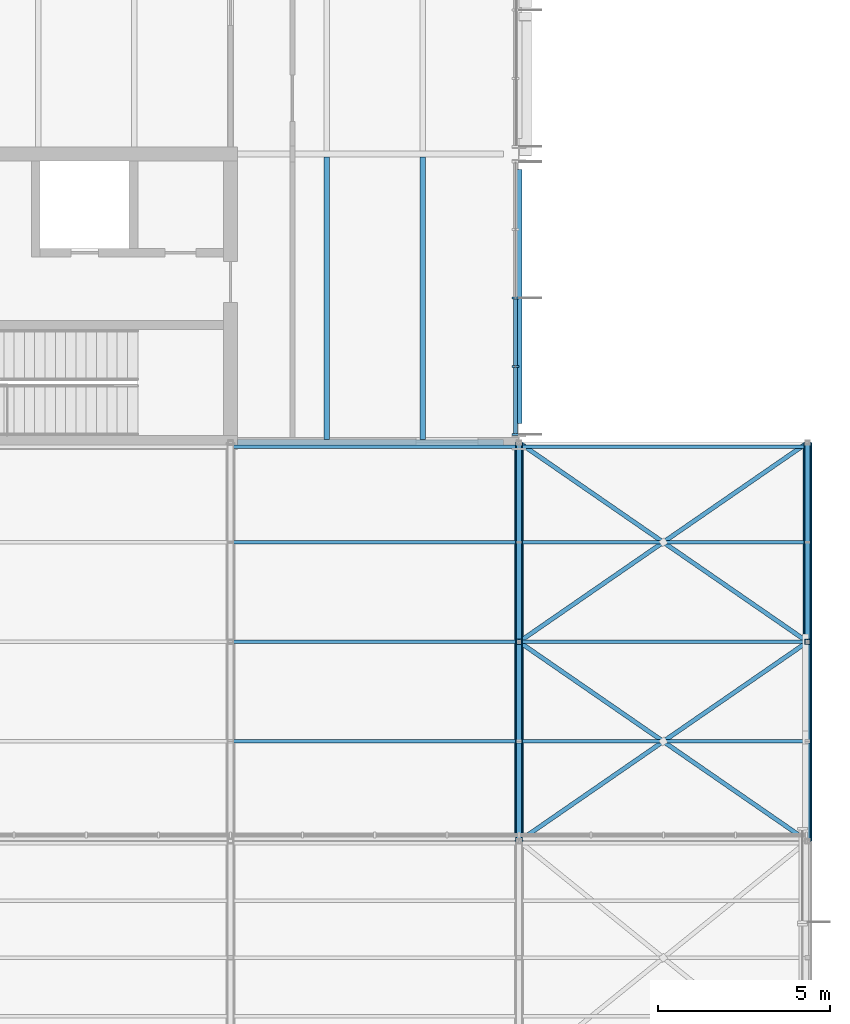
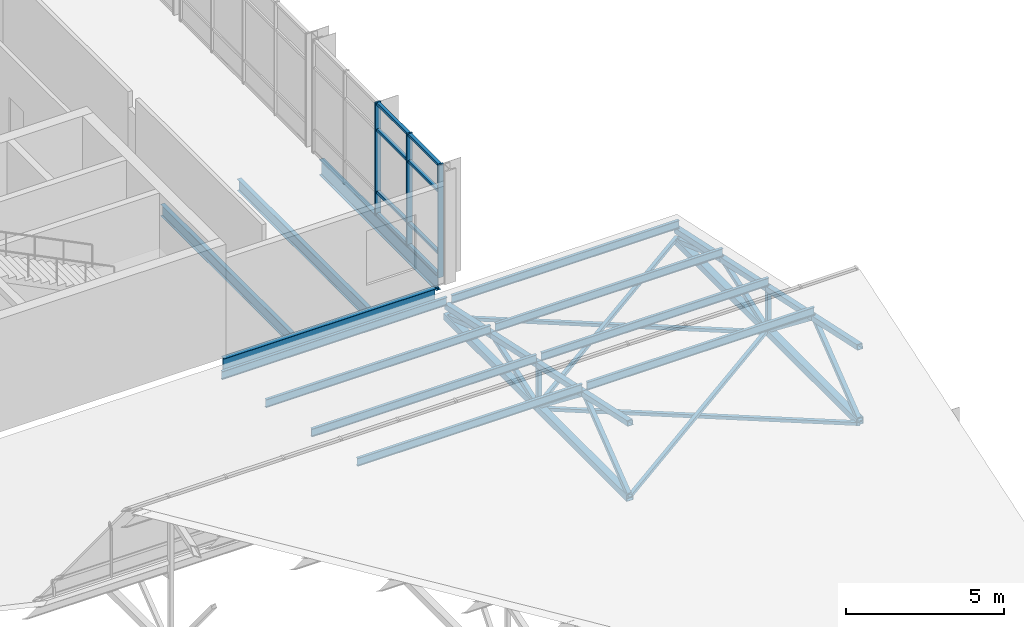
# One storey, part 25 of 89: 25 members, 24 beams, 1 element without a shape of its own.
"""IFC4 building model written with IfcOpenShell, lengths in metres."""

import ifcopenshell
import ifcopenshell.guid

model = None  # the IFC model being written
_history = None  # IfcOwnerHistory: only IFC2X3 demands one
_inside = {}  # id of a spatial element -> (the spatial element, [elements in it])
_under = {}  # id of a project, library or spatial element -> (it, [spatial elements below it])
_declared = {}  # id of a project -> (the project, [libraries it declares])
_typed = {}  # id of a type object -> (the type object, [elements of that type])
_made_of = {}  # id of a material, layer set ... -> (it, [elements and type objects made of it])


def new_model(schema):
    """Start an empty IFC model of exactly this schema.

    Asked for "IFC4X3", IfcOpenShell would pick the latest addendum, in which some entities
    have other attributes; the version numbers below select the first issue.
    IFC2X3 requires an IfcOwnerHistory on every rooted entity: one is made here for all.
    """
    global model, _history
    if schema == "IFC4X3":
        model = ifcopenshell.file(schema_version=(4, 3, 0, 0))
    else:
        model = ifcopenshell.file(schema=schema)
    _inside.clear()
    _under.clear()
    _declared.clear()
    _typed.clear()
    _made_of.clear()
    _history = None
    if model.schema == "IFC2X3":
        org = make("IfcOrganization", Name="unknown")
        user = make(
            "IfcPersonAndOrganization",
            ThePerson=make("IfcPerson", FamilyName="unknown"),
            TheOrganization=org,
        )
        app = make(
            "IfcApplication",
            ApplicationDeveloper=org,
            Version="unknown",
            ApplicationFullName="unknown",
            ApplicationIdentifier="unknown",
        )
        _history = make(
            "IfcOwnerHistory",
            OwningUser=user,
            OwningApplication=app,
            ChangeAction="ADDED",
            CreationDate=0,
        )
    return model


def make(cls, **values):
    """One entity of the class cls with the attributes given. An attribute that is None is left unset."""
    return model.create_entity(
        cls, **{name: value for name, value in values.items() if value is not None}
    )


def rooted(cls, **values):
    """An entity with a GlobalId (a new one), such as an element, a storey or a relation."""
    return make(cls, GlobalId=ifcopenshell.guid.new(), OwnerHistory=_history, **values)


def si_unit(unit_type, name, prefix=None):
    """IfcSIUnit, for example si_unit("LENGTHUNIT", "METRE", prefix="MILLI")."""
    return make("IfcSIUnit", UnitType=unit_type, Prefix=prefix, Name=name)


def assignment(units):
    """IfcUnitAssignment: the units of a project."""
    return None if units is None else make("IfcUnitAssignment", Units=units)


def point(xyz):
    """IfcCartesianPoint."""
    return None if xyz is None else make("IfcCartesianPoint", Coordinates=xyz)


def direction(xyz):
    """IfcDirection."""
    return None if xyz is None else make("IfcDirection", DirectionRatios=xyz)


def frame(location, z_axis=None, x_axis=None):
    """IfcAxis2Placement3D, a coordinate frame: its origin and axes. An axis left out is left unset."""
    return make(
        "IfcAxis2Placement3D",
        Location=point(location),
        Axis=direction(z_axis),
        RefDirection=direction(x_axis),
    )


def frame_2d(location, x_axis=None):
    """IfcAxis2Placement2D, a coordinate frame in the plane: its origin and x axis."""
    return make(
        "IfcAxis2Placement2D", Location=point(location), RefDirection=direction(x_axis)
    )


def origin():
    """The frame at (0, 0, 0) with its axes left unset."""
    return frame((0.0, 0.0, 0.0))


def origin_2d():
    """The frame at (0, 0) in the plane with its x axis left unset."""
    return frame_2d((0.0, 0.0))


def place(relative_to, where):
    """IfcLocalPlacement: puts the frame where relative to a parent placement (None: the world)."""
    return make(
        "IfcLocalPlacement", PlacementRelTo=relative_to, RelativePlacement=where
    )


def context(
    kind, dimensions, precision=None, world=None, true_north=None, identifier=None
):
    """IfcGeometricRepresentationContext, for example the 3D "Model" context."""
    return make(
        "IfcGeometricRepresentationContext",
        ContextIdentifier=identifier,
        ContextType=kind,
        CoordinateSpaceDimension=dimensions,
        Precision=precision,
        WorldCoordinateSystem=world,
        TrueNorth=true_north,
    )


def subcontext(parent, identifier, kind, view, scale=None):
    """IfcGeometricRepresentationSubContext, for example "Body" below "Model"."""
    return make(
        "IfcGeometricRepresentationSubContext",
        ContextIdentifier=identifier,
        ContextType=kind,
        ParentContext=parent,
        TargetScale=scale,
        TargetView=view,
    )


def project(units=None, contexts=None):
    """IfcProject with its units and contexts."""
    return rooted(
        "IfcProject",
        Name="project",
        RepresentationContexts=contexts,
        UnitsInContext=assignment(units),
    )


def spatial(cls, under=None, at=None, **own):
    """A site, building, storey or space (cls), placed at a placement, below another one or the project."""
    s = rooted(cls, ObjectPlacement=at, **own)
    if under is not None:
        _under.setdefault(under.id(), (under, []))[1].append(s)
    return s


def profile(cls, at=None, kind="AREA", **sizes):
    """A parametric profile (cls). Its sizes go by their IFC names, for example OverallWidth=200.0."""
    return make(cls, ProfileType=kind, Position=at, **sizes)


def rectangle(**sizes):
    """IfcRectangleProfileDef."""
    return profile("IfcRectangleProfileDef", **sizes)


def hollow_rectangle(**sizes):
    """IfcRectangleHollowProfileDef."""
    return profile("IfcRectangleHollowProfileDef", **sizes)


def i_section(**sizes):
    """IfcIShapeProfileDef."""
    return profile("IfcIShapeProfileDef", **sizes)


def extrude(swept, where, along, depth):
    """IfcExtrudedAreaSolid: the profile swept, set in the frame where, extruded along a direction by depth."""
    return make(
        "IfcExtrudedAreaSolid",
        SweptArea=swept,
        Position=where,
        ExtrudedDirection=direction(along),
        Depth=depth,
    )


def shape(context_of_items, identifier, shape_type, items):
    """IfcShapeRepresentation: the items that make up one representation, for example the "Body"."""
    return make(
        "IfcShapeRepresentation",
        ContextOfItems=context_of_items,
        RepresentationIdentifier=identifier,
        RepresentationType=shape_type,
        Items=items,
    )


def material(Name=None, Category=None):
    """IfcMaterial."""
    return make("IfcMaterial", Name=Name, Category=Category)


def material_profile(
    of_material, cross_section, Name=None, Category=None, Priority=None
):
    """IfcMaterialProfile: a cross section and its material."""
    return make(
        "IfcMaterialProfile",
        Name=Name,
        Material=of_material,
        Profile=cross_section,
        Priority=Priority,
        Category=Category,
    )


def profile_set(profiles, Name=None, composite=None):
    """IfcMaterialProfileSet."""
    return make(
        "IfcMaterialProfileSet",
        Name=Name,
        MaterialProfiles=profiles,
        CompositeProfile=composite,
    )


def made_of(thing, what):
    """Note that an element or type object is made of a material, layer set ...; save() writes the relation."""
    if what is not None:
        _made_of.setdefault(what.id(), (what, []))[1].append(thing)
    return thing


def type_object(cls, material=None, **own):
    """A type object (cls), such as IfcWallType, which elements share."""
    return made_of(rooted(cls, **own), material)


def element(
    cls,
    number,
    at=None,
    inside=None,
    cuts=None,
    type_object=None,
    material=None,
    context=None,
    identifier="Body",
    shape_type=None,
    held_by="IfcProductDefinitionShape",
    body=None,
    shapes=None,
    **own,
):
    """One element of the class cls, such as IfcWall. Its Tag is "e" and its number.

    at: its placement. inside: the storey or other place that contains it. cuts: it is an
    opening in that element (IfcRelVoidsElement). A single representation is given by context,
    identifier, shape_type and body (its items); several are given by shapes. held_by: the class
    of the entity that holds the representations. save() writes the other relations.
    """
    e = rooted(cls, Tag="e%d" % number, ObjectPlacement=at, **own)
    if body is not None:
        shapes = [shape(context, identifier, shape_type, body)]
    if shapes is not None:
        e.Representation = make(held_by, Representations=shapes)
    if inside is not None:
        _inside.setdefault(inside.id(), (inside, []))[1].append(e)
    if cuts is not None:
        rooted(
            "IfcRelVoidsElement", RelatingBuildingElement=cuts, RelatedOpeningElement=e
        )
    if type_object is not None:
        _typed.setdefault(type_object.id(), (type_object, []))[1].append(e)
    return made_of(e, material)


def aggregate(whole, parts):
    """IfcRelAggregates: a whole, such as a stair, and the parts it consists of."""
    return rooted("IfcRelAggregates", RelatingObject=whole, RelatedObjects=parts)


def save(model, path):
    """Write the relations noted so far, then the file.

    IfcRelAggregates (storeys below a building ...), IfcRelContainedInSpatialStructure (elements
    in a storey), IfcRelDefinesByType, IfcRelAssociatesMaterial and IfcRelDeclares: one each for
    every whole, place, type object, material and project.
    """
    for whole, parts in _under.values():
        aggregate(whole, parts)
    for where, things in _inside.values():
        rooted(
            "IfcRelContainedInSpatialStructure",
            RelatedElements=things,
            RelatingStructure=where,
        )
    for kind, things in _typed.values():
        rooted("IfcRelDefinesByType", RelatedObjects=things, RelatingType=kind)
    for what, things in _made_of.values():
        rooted("IfcRelAssociatesMaterial", RelatedObjects=things, RelatingMaterial=what)
    for by, libraries in _declared.values():
        rooted("IfcRelDeclares", RelatingContext=by, RelatedDefinitions=libraries)
    model.write(path)


model = new_model("IFC4")

# Units and contexts
model_context = context("Model", 3, precision=1e-05, world=origin(), true_north=direction((0.0, 1.0)))
body_context = subcontext(model_context, "Body", "Model", "MODEL_VIEW")
ifc_project = project(units=[si_unit("LENGTHUNIT", "METRE"), si_unit("AREAUNIT", "SQUARE_METRE"), si_unit("VOLUMEUNIT", "CUBIC_METRE"), si_unit("PLANEANGLEUNIT", "RADIAN"), si_unit("MASSUNIT", "GRAM", prefix="KILO")], contexts=[model_context])

# Site, building, storey
site_placement = place(None, origin())
site = spatial("IfcSite", under=ifc_project, at=site_placement, CompositionType="ELEMENT")
building_placement = place(site_placement, origin())
building = spatial("IfcBuilding", under=site, at=building_placement, Name="Hlaing Beacon Police Headquarters", CompositionType="ELEMENT")
storey_placement = place(building_placement, frame((0.0, 0.0, 9.89990234375)))
storey = spatial("IfcBuildingStorey", under=building, at=storey_placement, Name="L02", CompositionType="ELEMENT", Elevation=9.89990234375)

# Beams
ifc_material_1 = material(Name="Steel ASTM A992 Grade 50", Category="steel")
ifc_material_profile_1 = material_profile(ifc_material_1, i_section(OverallWidth=0.177978515625, OverallDepth=0.599365234375, WebThickness=0.010009765625, FlangeThickness=0.012939453125, FilletRadius=0.012939453125, at=origin_2d()), Name="W24x55")
ifc_profile_set_1 = profile_set([ifc_material_profile_1], Name="Steel ASTM A992 Grade 50")
beam_type_1 = type_object("IfcBeamType", Name="Girder W24x55", PredefinedType="BEAM", material=ifc_profile_set_1)
beam_1_placement = place(storey_placement, frame((117.800048828125, 33.60009765625, -0.4296875), z_axis=(1.0, 0.0, 0.0), x_axis=(0.0, 1.0, 0.0)))
element("IfcBeam", 1, at=beam_1_placement, inside=storey, type_object=beam_type_1, Name="STR-BM-L02-GX-Q5-R5", PredefinedType="BEAM", context=body_context, shape_type="SweptSolid", body=[
    extrude(i_section(OverallWidth=0.177978515625, OverallDepth=0.599365234375, WebThickness=0.010009765625, FlangeThickness=0.012939453125, FilletRadius=0.012939453125, at=origin_2d()), origin(), (0.0, 0.0, 1.0), 7.75),
])
beam_2_placement = place(storey_placement, frame((126.0, 34.14990234375, -0.4296875), z_axis=(0.0, 1.0, 0.0), x_axis=(-1.0, 0.0, 0.0)))
element("IfcBeam", 2, at=beam_2_placement, inside=storey, type_object=beam_type_1, Name="STR-BM-L02-GY-R5-R6", PredefinedType="BEAM", context=body_context, shape_type="SweptSolid", body=[
    extrude(i_section(OverallWidth=0.177978515625, OverallDepth=0.599365234375, WebThickness=0.010009765625, FlangeThickness=0.012939453125, FilletRadius=0.012939453125, at=origin_2d()), origin(), (0.0, 0.0, 1.0), 7.400146484375),
])

# Curtain wall, members
ifc_material_2 = material(Name="Aluminium frame with solar control glazing", Category="aluminium")
curtain_wall_type = type_object("IfcCurtainWallType", Name="Unitised curtain wall 7.99 x 4.37", PredefinedType="NOTDEFINED", material=ifc_material_2)
curtain_wall_placement = place(storey_placement, origin())
curtain_wall = element("IfcCurtainWall", 3, at=curtain_wall_placement, inside=storey, type_object=curtain_wall_type, Name="ENV-CW-L02-E015", PredefinedType="NOTDEFINED")
ifc_material_3 = material(Name="Aluminium", Category="aluminium")
ifc_material_profile_2 = material_profile(ifc_material_3, rectangle(XDim=0.199951171875, YDim=0.06005859375, at=origin_2d()), Name="Mullion 60x200")
ifc_profile_set_2 = profile_set([ifc_material_profile_2], Name="Aluminium")
member_type_1 = type_object("IfcMemberType", Name="Mullion 60x200", PredefinedType="MULLION", material=ifc_profile_set_2)
member_1_placement = place(storey_placement, frame((125.89990234375, 33.842041015625, 0.0), z_axis=(0.0, 0.0, 1.0), x_axis=(-1.0, 0.0, 0.0)))
member_1 = element("IfcMember", 4, at=member_1_placement, type_object=member_type_1, Name="CW-L02-E015 mullion 1", PredefinedType="MULLION", context=body_context, shape_type="SweptSolid", body=[
    extrude(rectangle(XDim=0.199951171875, YDim=0.06005859375, at=origin_2d()), origin(), (0.0, 0.0, 1.0), 4.3701171875),
])
member_2_placement = place(storey_placement, frame((125.89990234375, 35.810791015625, 0.0), z_axis=(0.0, 0.0, 1.0), x_axis=(-1.0, 0.0, 0.0)))
member_2 = element("IfcMember", 5, at=member_2_placement, type_object=member_type_1, Name="CW-L02-E015 mullion 2", PredefinedType="MULLION", context=body_context, shape_type="SweptSolid", body=[
    extrude(rectangle(XDim=0.199951171875, YDim=0.06005859375, at=origin_2d()), origin(), (0.0, 0.0, 1.0), 4.3701171875),
])
member_3_placement = place(storey_placement, frame((125.89990234375, 37.8095703125, 0.0), z_axis=(0.0, 0.0, 1.0), x_axis=(-1.0, 0.0, 0.0)))
member_3 = element("IfcMember", 6, at=member_3_placement, type_object=member_type_1, Name="CW-L02-E015 mullion 3", PredefinedType="MULLION", context=body_context, shape_type="SweptSolid", body=[
    extrude(rectangle(XDim=0.199951171875, YDim=0.06005859375, at=origin_2d()), origin(), (0.0, 0.0, 1.0), 4.3701171875),
])

# Members
ifc_material_4 = material(Name="Steel ASTM A500 Grade C", Category="steel")
ifc_material_profile_3 = material_profile(ifc_material_4, hollow_rectangle(XDim=0.126953125, YDim=0.126953125, WallThickness=0.009521484375, at=origin_2d()), Name="HSS5x5x3/8")
ifc_profile_set_3 = profile_set([ifc_material_profile_3], Name="Steel ASTM A500 Grade C")
member_type_2 = type_object("IfcMemberType", Name="Roof plan brace HSS5x5x3/8", PredefinedType="BRACE", material=ifc_profile_set_3)
for number, where, z_axis, x_axis, name in (
    (7, (126.0, 22.0, -1.29931640625), (0.822891575455, 0.568198429288, 0.0), (-0.568198429288, 0.822891575455, 0.0), "STR-RT-V3-WB13"),
    (8, (134.39990234375, 22.0, -1.4462890625), (-0.822891575455, 0.568198429288, 0.0), (-0.568198429288, -0.822891575455, 0.0), "STR-RT-V3-WB14"),
    (9, (126.0, 27.800048828125, -1.29931640625), (0.822891575455, 0.568198429288, 0.0), (-0.568198429288, 0.822891575455, 0.0), "STR-RT-V3-WB15"),
    (10, (134.39990234375, 27.800048828125, -1.4462890625), (-0.822891575455, 0.568198429288, 0.0), (-0.568198429288, -0.822891575455, 0.0), "STR-RT-V3-WB16"),
):
    element("IfcMember", number, at=place(storey_placement, frame(where, z_axis=z_axis, x_axis=x_axis)), inside=storey, type_object=member_type_2, Name=name, PredefinedType="BRACE", context=body_context, shape_type="SweptSolid", body=[
        extrude(hollow_rectangle(XDim=0.126953125, YDim=0.126953125, WallThickness=0.009521484375, at=origin_2d()), origin(), (0.0, 0.0, 1.0), 10.207763671875),
    ])

# Beams
ifc_material_5 = material(Name="Steel ASTM A992 Grade 50", Category="steel")
ifc_material_profile_4 = material_profile(ifc_material_5, i_section(OverallWidth=0.102294921875, OverallDepth=0.3125, WebThickness=0.006591796875, FlangeThickness=0.0107421875, FilletRadius=0.007568359375, at=origin_2d()), Name="W12x22")
ifc_profile_set_4 = profile_set([ifc_material_profile_4], Name="Steel ASTM A992 Grade 50")
beam_type_2 = type_object("IfcBeamType", Name="Roof purlin W12x22", PredefinedType="BEAM", material=ifc_profile_set_4)
beam_3_placement = place(storey_placement, frame((117.68505859375, 24.89990234375, 1.154052734375), z_axis=(1.0, 0.0, 0.0), x_axis=(0.0, 1.0, 0.0)))
element("IfcBeam", 11, at=beam_3_placement, inside=storey, type_object=beam_type_2, Name="STR-RT-V3-PR-R3-02-4", PredefinedType="BEAM", context=body_context, shape_type="SweptSolid", body=[
    extrude(i_section(OverallWidth=0.102294921875, OverallDepth=0.3125, WebThickness=0.006591796875, FlangeThickness=0.0107421875, FilletRadius=0.007568359375, at=origin_2d()), origin(), (0.0, 0.0, 1.0), 8.22998046875),
])
beam_4_placement = place(storey_placement, frame((126.0849609375, 24.89990234375, 1.154052734375), z_axis=(1.0, 0.0, 0.0), x_axis=(0.0, 1.0, 0.0)))
element("IfcBeam", 12, at=beam_4_placement, inside=storey, type_object=beam_type_2, Name="STR-RT-V3-PR-R3-02-5", PredefinedType="BEAM", context=body_context, shape_type="SweptSolid", body=[
    extrude(i_section(OverallWidth=0.102294921875, OverallDepth=0.3125, WebThickness=0.006591796875, FlangeThickness=0.0107421875, FilletRadius=0.007568359375, at=origin_2d()), origin(), (0.0, 0.0, 1.0), 8.31494140625),
])
beam_5_placement = place(storey_placement, frame((117.68505859375, 27.800048828125, 0.529052734375), z_axis=(1.0, 0.0, 0.0), x_axis=(0.0, 1.0, 0.0)))
element("IfcBeam", 13, at=beam_5_placement, inside=storey, type_object=beam_type_2, Name="STR-RT-V3-PR-R3-03-4", PredefinedType="BEAM", context=body_context, shape_type="SweptSolid", body=[
    extrude(i_section(OverallWidth=0.102294921875, OverallDepth=0.3125, WebThickness=0.006591796875, FlangeThickness=0.0107421875, FilletRadius=0.007568359375, at=origin_2d()), origin(), (0.0, 0.0, 1.0), 8.22998046875),
])
beam_6_placement = place(storey_placement, frame((126.0849609375, 27.800048828125, 0.529052734375), z_axis=(1.0, 0.0, 0.0), x_axis=(0.0, 1.0, 0.0)))
element("IfcBeam", 14, at=beam_6_placement, inside=storey, type_object=beam_type_2, Name="STR-RT-V3-PR-R3-03-5", PredefinedType="BEAM", context=body_context, shape_type="SweptSolid", body=[
    extrude(i_section(OverallWidth=0.102294921875, OverallDepth=0.3125, WebThickness=0.006591796875, FlangeThickness=0.0107421875, FilletRadius=0.007568359375, at=origin_2d()), origin(), (0.0, 0.0, 1.0), 8.31494140625),
])
beam_7_placement = place(storey_placement, frame((117.68505859375, 30.699951171875, -0.095947265625), z_axis=(1.0, 0.0, 0.0), x_axis=(0.0, 1.0, 0.0)))
element("IfcBeam", 15, at=beam_7_placement, inside=storey, type_object=beam_type_2, Name="STR-RT-V3-PR-R3-04-4", PredefinedType="BEAM", context=body_context, shape_type="SweptSolid", body=[
    extrude(i_section(OverallWidth=0.102294921875, OverallDepth=0.3125, WebThickness=0.006591796875, FlangeThickness=0.0107421875, FilletRadius=0.007568359375, at=origin_2d()), origin(), (0.0, 0.0, 1.0), 8.22998046875),
])
beam_8_placement = place(storey_placement, frame((126.0849609375, 30.699951171875, -0.095947265625), z_axis=(1.0, 0.0, 0.0), x_axis=(0.0, 1.0, 0.0)))
element("IfcBeam", 16, at=beam_8_placement, inside=storey, type_object=beam_type_2, Name="STR-RT-V3-PR-R3-04-5", PredefinedType="BEAM", context=body_context, shape_type="SweptSolid", body=[
    extrude(i_section(OverallWidth=0.102294921875, OverallDepth=0.3125, WebThickness=0.006591796875, FlangeThickness=0.0107421875, FilletRadius=0.007568359375, at=origin_2d()), origin(), (0.0, 0.0, 1.0), 8.31494140625),
])
beam_9_placement = place(storey_placement, frame((117.68505859375, 33.477294921875, -0.6943359375), z_axis=(1.0, 0.0, 0.0), x_axis=(0.0, 1.0, 0.0)))
element("IfcBeam", 17, at=beam_9_placement, inside=storey, type_object=beam_type_2, Name="STR-RT-V3-PR-R3-05-4", PredefinedType="BEAM", context=body_context, shape_type="SweptSolid", body=[
    extrude(i_section(OverallWidth=0.102294921875, OverallDepth=0.3125, WebThickness=0.006591796875, FlangeThickness=0.0107421875, FilletRadius=0.007568359375, at=origin_2d()), origin(), (0.0, 0.0, 1.0), 8.22998046875),
])
beam_10_placement = place(storey_placement, frame((126.0849609375, 33.477294921875, -0.6943359375), z_axis=(1.0, 0.0, 0.0), x_axis=(0.0, 1.0, 0.0)))
element("IfcBeam", 18, at=beam_10_placement, inside=storey, type_object=beam_type_2, Name="STR-RT-V3-PR-R3-05-5", PredefinedType="BEAM", context=body_context, shape_type="SweptSolid", body=[
    extrude(i_section(OverallWidth=0.102294921875, OverallDepth=0.3125, WebThickness=0.006591796875, FlangeThickness=0.0107421875, FilletRadius=0.007568359375, at=origin_2d()), origin(), (0.0, 0.0, 1.0), 8.31494140625),
])
ifc_material_6 = material(Name="Steel ASTM A992 Grade 50", Category="steel")
ifc_material_profile_5 = material_profile(ifc_material_6, i_section(OverallWidth=0.15234375, OverallDepth=0.449462890625, WebThickness=0.007568359375, FlangeThickness=0.0107421875, FilletRadius=0.01025390625, at=origin_2d()), Name="W18x35")
ifc_profile_set_5 = profile_set([ifc_material_profile_5], Name="Steel ASTM A992 Grade 50")
beam_type_3 = type_object("IfcBeamType", Name="Secondary beam W18x35", PredefinedType="BEAM", material=ifc_profile_set_5)
for number, where, z_axis, x_axis, name in (
    (19, (120.39990234375, 33.68896484375, -0.354736328125), (0.0, 1.0, 0.0), (-1.0, 0.0, 0.0), "STR-BM-L02-SB-Q5-y1"),
    (20, (123.199951171875, 33.68896484375, -0.354736328125), (0.0, 1.0, 0.0), (-1.0, 0.0, 0.0), "STR-BM-L02-SB-Q5-y2"),
):
    element("IfcBeam", number, at=place(storey_placement, frame(where, z_axis=z_axis, x_axis=x_axis)), inside=storey, type_object=beam_type_3, Name=name, PredefinedType="BEAM", context=body_context, shape_type="SweptSolid", body=[
        extrude(i_section(OverallWidth=0.15234375, OverallDepth=0.449462890625, WebThickness=0.007568359375, FlangeThickness=0.0107421875, FilletRadius=0.01025390625, at=origin_2d()), origin(), (0.0, 0.0, 1.0), 8.221923828125),
    ])

# Member
ifc_material_7 = material(Name="Aluminium", Category="aluminium")
ifc_material_profile_6 = material_profile(ifc_material_7, rectangle(XDim=0.1201171875, YDim=0.10009765625, at=origin_2d()), Name="Transom 120x100")
ifc_profile_set_6 = profile_set([ifc_material_profile_6], Name="Aluminium")
member_type_3 = type_object("IfcMemberType", Name="Transom 120x100", PredefinedType="USERDEFINED", material=ifc_profile_set_6)
member_4_placement = place(storey_placement, frame((125.89990234375, 33.8720703125, 0.050048828125), z_axis=(0.0, 1.0, 0.0), x_axis=(-1.0, 0.0, 0.0)))
member_4 = element("IfcMember", 21, at=member_4_placement, type_object=member_type_3, Name="CW-L02-E015 transom 1.1", ObjectType="TRANSOM", PredefinedType="USERDEFINED", context=body_context, shape_type="SweptSolid", body=[
    extrude(rectangle(XDim=0.1201171875, YDim=0.10009765625, at=origin_2d()), origin(), (0.0, 0.0, 1.0), 1.90869140625),
])

member_5_placement = place(storey_placement, frame((125.89990234375, 33.8720703125, 0.900146484375), z_axis=(0.0, 1.0, 0.0), x_axis=(-1.0, 0.0, 0.0)))
member_5 = element("IfcMember", 22, at=member_5_placement, type_object=member_type_3, Name="CW-L02-E015 transom 1.2", ObjectType="TRANSOM", PredefinedType="USERDEFINED", context=body_context, shape_type="SweptSolid", body=[
    extrude(rectangle(XDim=0.1201171875, YDim=0.10009765625, at=origin_2d()), origin(), (0.0, 0.0, 1.0), 1.90869140625),
])

member_6_placement = place(storey_placement, frame((125.89990234375, 33.8720703125, 3.300048828125), z_axis=(0.0, 1.0, 0.0), x_axis=(-1.0, 0.0, 0.0)))
member_6 = element("IfcMember", 23, at=member_6_placement, type_object=member_type_3, Name="CW-L02-E015 transom 1.3", ObjectType="TRANSOM", PredefinedType="USERDEFINED", context=body_context, shape_type="SweptSolid", body=[
    extrude(rectangle(XDim=0.1201171875, YDim=0.10009765625, at=origin_2d()), origin(), (0.0, 0.0, 1.0), 1.90869140625),
])

member_7_placement = place(storey_placement, frame((125.89990234375, 33.8720703125, 4.320068359375), z_axis=(0.0, 1.0, 0.0), x_axis=(-1.0, 0.0, 0.0)))
member_7 = element("IfcMember", 24, at=member_7_placement, type_object=member_type_3, Name="CW-L02-E015 transom 1.4", ObjectType="TRANSOM", PredefinedType="USERDEFINED", context=body_context, shape_type="SweptSolid", body=[
    extrude(rectangle(XDim=0.1201171875, YDim=0.10009765625, at=origin_2d()), origin(), (0.0, 0.0, 1.0), 1.90869140625),
])

member_8_placement = place(storey_placement, frame((125.89990234375, 35.8408203125, 0.050048828125), z_axis=(0.0, 1.0, 0.0), x_axis=(-1.0, 0.0, 0.0)))
member_8 = element("IfcMember", 25, at=member_8_placement, type_object=member_type_3, Name="CW-L02-E015 transom 2.1", ObjectType="TRANSOM", PredefinedType="USERDEFINED", context=body_context, shape_type="SweptSolid", body=[
    extrude(rectangle(XDim=0.1201171875, YDim=0.10009765625, at=origin_2d()), origin(), (0.0, 0.0, 1.0), 1.938720703125),
])

member_9_placement = place(storey_placement, frame((125.89990234375, 35.8408203125, 0.900146484375), z_axis=(0.0, 1.0, 0.0), x_axis=(-1.0, 0.0, 0.0)))
member_9 = element("IfcMember", 26, at=member_9_placement, type_object=member_type_3, Name="CW-L02-E015 transom 2.2", ObjectType="TRANSOM", PredefinedType="USERDEFINED", context=body_context, shape_type="SweptSolid", body=[
    extrude(rectangle(XDim=0.1201171875, YDim=0.10009765625, at=origin_2d()), origin(), (0.0, 0.0, 1.0), 1.938720703125),
])

member_10_placement = place(storey_placement, frame((125.89990234375, 35.8408203125, 3.300048828125), z_axis=(0.0, 1.0, 0.0), x_axis=(-1.0, 0.0, 0.0)))
member_10 = element("IfcMember", 27, at=member_10_placement, type_object=member_type_3, Name="CW-L02-E015 transom 2.3", ObjectType="TRANSOM", PredefinedType="USERDEFINED", context=body_context, shape_type="SweptSolid", body=[
    extrude(rectangle(XDim=0.1201171875, YDim=0.10009765625, at=origin_2d()), origin(), (0.0, 0.0, 1.0), 1.938720703125),
])

member_11_placement = place(storey_placement, frame((125.89990234375, 35.8408203125, 4.320068359375), z_axis=(0.0, 1.0, 0.0), x_axis=(-1.0, 0.0, 0.0)))
member_11 = element("IfcMember", 28, at=member_11_placement, type_object=member_type_3, Name="CW-L02-E015 transom 2.4", ObjectType="TRANSOM", PredefinedType="USERDEFINED", context=body_context, shape_type="SweptSolid", body=[
    extrude(rectangle(XDim=0.1201171875, YDim=0.10009765625, at=origin_2d()), origin(), (0.0, 0.0, 1.0), 1.938720703125),
])

aggregate(curtain_wall, [member_1, member_2, member_3, member_4, member_5, member_6, member_7, member_8, member_9, member_10, member_11])

# Beams
ifc_material_8 = material(Name="Steel ASTM A500 Grade C", Category="steel")
ifc_material_profile_7 = material_profile(ifc_material_8, hollow_rectangle(XDim=0.25390625, YDim=0.25390625, WallThickness=0.0126953125, at=origin_2d()), Name="HSS10x10x1/2")
ifc_profile_set_7 = profile_set([ifc_material_profile_7], Name="Steel ASTM A500 Grade C")
beam_type_4 = type_object("IfcBeamType", Name="Truss bottom chord HSS10x10x1/2", PredefinedType="BEAM", material=ifc_profile_set_7)
for number, where, z_axis, x_axis, name in (
    (29, (126.0, 22.0, -1.372802734375), (0.0, 1.0, 0.0), (-1.0, 0.0, 0.0), "STR-RT-V3-T5-BC03"),
    (30, (126.0, 27.800048828125, -1.372802734375), (0.0, 1.0, 0.0), (-1.0, 0.0, 0.0), "STR-RT-V3-T5-BC04"),
    (31, (134.39990234375, 22.0, -1.372802734375), (0.0, 1.0, 0.0), (-1.0, 0.0, 0.0), "STR-RT-V3-T6-BC03"),
    (32, (134.39990234375, 27.800048828125, -1.372802734375), (0.0, 1.0, 0.0), (-1.0, 0.0, 0.0), "STR-RT-V3-T6-BC04"),
):
    element("IfcBeam", number, at=place(storey_placement, frame(where, z_axis=z_axis, x_axis=x_axis)), inside=storey, type_object=beam_type_4, Name=name, PredefinedType="BEAM", context=body_context, shape_type="SweptSolid", body=[
        extrude(hollow_rectangle(XDim=0.25390625, YDim=0.25390625, WallThickness=0.0126953125, at=origin_2d()), origin(), (0.0, 0.0, 1.0), 5.800048828125),
    ])

# Members
ifc_material_9 = material(Name="Steel ASTM A500 Grade C", Category="steel")
ifc_material_profile_8 = material_profile(ifc_material_9, hollow_rectangle(XDim=0.15234375, YDim=0.15234375, WallThickness=0.0126953125, at=origin_2d()), Name="HSS6x6x1/2")
ifc_profile_set_8 = profile_set([ifc_material_profile_8], Name="Steel ASTM A500 Grade C")
member_type_4 = type_object("IfcMemberType", Name="Truss post HSS6x6x1/2", PredefinedType="POST", material=ifc_profile_set_8)
for number, where, z_axis, x_axis, name in (
    (33, (126.0, 27.800048828125, -1.372802734375), (0.0, 0.0, 1.0), (1.0, 0.0, 0.0), "STR-RT-V3-T5-PS04"),
    (34, (134.39990234375, 27.800048828125, -1.372802734375), (0.0, 0.0, 1.0), (1.0, 0.0, 0.0), "STR-RT-V3-T6-PS04"),
):
    element("IfcMember", number, at=place(storey_placement, frame(where, z_axis=z_axis, x_axis=x_axis)), inside=storey, type_object=member_type_4, Name=name, PredefinedType="POST", context=body_context, shape_type="SweptSolid", body=[
        extrude(hollow_rectangle(XDim=0.15234375, YDim=0.15234375, WallThickness=0.0126953125, at=origin_2d()), origin(), (0.0, 0.0, 1.0), 1.631103515625),
    ])

# Beams
ifc_material_10 = material(Name="Steel ASTM A500 Grade C", Category="steel")
ifc_material_profile_9 = material_profile(ifc_material_10, hollow_rectangle(XDim=0.203125, YDim=0.203125, WallThickness=0.015869140625, at=origin_2d()), Name="HSS8x8x5/8")
ifc_profile_set_9 = profile_set([ifc_material_profile_9], Name="Steel ASTM A500 Grade C")
beam_type_5 = type_object("IfcBeamType", Name="Truss top chord HSS8x8x5/8", PredefinedType="BEAM", material=ifc_profile_set_9)
beam_11_placement = place(storey_placement, frame((126.0, 22.0, 1.50830078125), z_axis=(0.0, 0.97755362567, -0.21068675549), x_axis=(-1.0, 0.0, 0.0)))
element("IfcBeam", 35, at=beam_11_placement, inside=storey, type_object=beam_type_5, Name="STR-RT-V3-T5-TC06", PredefinedType="BEAM", context=body_context, shape_type="SweptSolid", body=[
    extrude(hollow_rectangle(XDim=0.203125, YDim=0.203125, WallThickness=0.015869140625, at=origin_2d()), origin(), (0.0, 0.0, 1.0), 2.966552734375),
])
beam_12_placement = place(storey_placement, frame((126.0, 24.89990234375, 0.88330078125), z_axis=(0.0, 0.977557278415, -0.210669806612), x_axis=(-1.0, 0.0, 0.0)))
element("IfcBeam", 36, at=beam_12_placement, inside=storey, type_object=beam_type_5, Name="STR-RT-V3-T5-TC07", PredefinedType="BEAM", context=body_context, shape_type="SweptSolid", body=[
    extrude(hollow_rectangle(XDim=0.203125, YDim=0.203125, WallThickness=0.015869140625, at=origin_2d()), origin(), (0.0, 0.0, 1.0), 2.966796875),
])
beam_13_placement = place(storey_placement, frame((126.0, 27.800048828125, 0.25830078125), z_axis=(0.0, 0.97755362567, -0.21068675549), x_axis=(-1.0, 0.0, 0.0)))
element("IfcBeam", 37, at=beam_13_placement, inside=storey, type_object=beam_type_5, Name="STR-RT-V3-T5-TC08", PredefinedType="BEAM", context=body_context, shape_type="SweptSolid", body=[
    extrude(hollow_rectangle(XDim=0.203125, YDim=0.203125, WallThickness=0.015869140625, at=origin_2d()), origin(), (0.0, 0.0, 1.0), 2.966552734375),
])
beam_14_placement = place(storey_placement, frame((126.0, 30.699951171875, -0.36669921875), z_axis=(0.0, 0.977557278415, -0.210669806612), x_axis=(-1.0, 0.0, 0.0)))
element("IfcBeam", 38, at=beam_14_placement, inside=storey, type_object=beam_type_5, Name="STR-RT-V3-T5-TC09", PredefinedType="BEAM", context=body_context, shape_type="SweptSolid", body=[
    extrude(hollow_rectangle(XDim=0.203125, YDim=0.203125, WallThickness=0.015869140625, at=origin_2d()), origin(), (0.0, 0.0, 1.0), 2.966796875),
])
beam_15_placement = place(storey_placement, frame((134.39990234375, 22.0, 1.50830078125), z_axis=(0.0, 0.97755362567, -0.21068675549), x_axis=(-1.0, 0.0, 0.0)))
element("IfcBeam", 39, at=beam_15_placement, inside=storey, type_object=beam_type_5, Name="STR-RT-V3-T6-TC06", PredefinedType="BEAM", context=body_context, shape_type="SweptSolid", body=[
    extrude(hollow_rectangle(XDim=0.203125, YDim=0.203125, WallThickness=0.015869140625, at=origin_2d()), origin(), (0.0, 0.0, 1.0), 2.966552734375),
])
beam_16_placement = place(storey_placement, frame((134.39990234375, 24.89990234375, 0.88330078125), z_axis=(0.0, 0.977557278415, -0.210669806612), x_axis=(-1.0, 0.0, 0.0)))
element("IfcBeam", 40, at=beam_16_placement, inside=storey, type_object=beam_type_5, Name="STR-RT-V3-T6-TC07", PredefinedType="BEAM", context=body_context, shape_type="SweptSolid", body=[
    extrude(hollow_rectangle(XDim=0.203125, YDim=0.203125, WallThickness=0.015869140625, at=origin_2d()), origin(), (0.0, 0.0, 1.0), 2.966796875),
])
beam_17_placement = place(storey_placement, frame((134.39990234375, 27.800048828125, 0.25830078125), z_axis=(0.0, 0.97755362567, -0.21068675549), x_axis=(-1.0, 0.0, 0.0)))
element("IfcBeam", 41, at=beam_17_placement, inside=storey, type_object=beam_type_5, Name="STR-RT-V3-T6-TC08", PredefinedType="BEAM", context=body_context, shape_type="SweptSolid", body=[
    extrude(hollow_rectangle(XDim=0.203125, YDim=0.203125, WallThickness=0.015869140625, at=origin_2d()), origin(), (0.0, 0.0, 1.0), 2.966552734375),
])
beam_18_placement = place(storey_placement, frame((134.39990234375, 30.699951171875, -0.36669921875), z_axis=(0.0, 0.977557278415, -0.210669806612), x_axis=(-1.0, 0.0, 0.0)))
element("IfcBeam", 42, at=beam_18_placement, inside=storey, type_object=beam_type_5, Name="STR-RT-V3-T6-TC09", PredefinedType="BEAM", context=body_context, shape_type="SweptSolid", body=[
    extrude(hollow_rectangle(XDim=0.203125, YDim=0.203125, WallThickness=0.015869140625, at=origin_2d()), origin(), (0.0, 0.0, 1.0), 2.966796875),
])

# Members
ifc_material_11 = material(Name="Steel ASTM A500 Grade C", Category="steel")
ifc_material_profile_10 = material_profile(ifc_material_11, hollow_rectangle(XDim=0.15234375, YDim=0.15234375, WallThickness=0.009521484375, at=origin_2d()), Name="HSS6x6x3/8")
ifc_profile_set_10 = profile_set([ifc_material_profile_10], Name="Steel ASTM A500 Grade C")
member_type_5 = type_object("IfcMemberType", Name="Truss web HSS6x6x3/8", PredefinedType="BRACE", material=ifc_profile_set_10)
member_12_placement = place(storey_placement, frame((126.0, 22.0, -1.372802734375), z_axis=(0.0, 0.789269916933, 0.614046413738), x_axis=(-1.0, 0.0, 0.0)))
element("IfcMember", 43, at=member_12_placement, inside=storey, type_object=member_type_5, Name="STR-RT-V3-T5-DG05", PredefinedType="BRACE", context=body_context, shape_type="SweptSolid", body=[
    extrude(hollow_rectangle(XDim=0.15234375, YDim=0.15234375, WallThickness=0.009521484375, at=origin_2d()), origin(), (0.0, 0.0, 1.0), 3.674072265625),
])
member_13_placement = place(storey_placement, frame((126.0, 24.89990234375, 0.88330078125), z_axis=(0.0, 0.789294969398, -0.614014210978), x_axis=(-1.0, 0.0, 0.0)))
element("IfcMember", 44, at=member_13_placement, inside=storey, type_object=member_type_5, Name="STR-RT-V3-T5-DG06", PredefinedType="BRACE", context=body_context, shape_type="SweptSolid", body=[
    extrude(hollow_rectangle(XDim=0.15234375, YDim=0.15234375, WallThickness=0.009521484375, at=origin_2d()), origin(), (0.0, 0.0, 1.0), 3.67431640625),
])
member_14_placement = place(storey_placement, frame((126.0, 27.800048828125, -1.372802734375), z_axis=(0.0, 0.944755103934, 0.327777048603), x_axis=(-1.0, 0.0, 0.0)))
element("IfcMember", 45, at=member_14_placement, inside=storey, type_object=member_type_5, Name="STR-RT-V3-T5-DG07", PredefinedType="BRACE", context=body_context, shape_type="SweptSolid", body=[
    extrude(hollow_rectangle(XDim=0.15234375, YDim=0.15234375, WallThickness=0.009521484375, at=origin_2d()), origin(), (0.0, 0.0, 1.0), 3.069580078125),
])
member_15_placement = place(storey_placement, frame((126.0, 30.699951171875, -0.36669921875), z_axis=(0.0, 0.944763648383, -0.327752419815), x_axis=(-1.0, 0.0, 0.0)))
element("IfcMember", 46, at=member_15_placement, inside=storey, type_object=member_type_5, Name="STR-RT-V3-T5-DG08", PredefinedType="BRACE", context=body_context, shape_type="SweptSolid", body=[
    extrude(hollow_rectangle(XDim=0.15234375, YDim=0.15234375, WallThickness=0.009521484375, at=origin_2d()), origin(), (0.0, 0.0, 1.0), 3.06982421875),
])
member_16_placement = place(storey_placement, frame((134.39990234375, 22.0, -1.372802734375), z_axis=(0.0, 0.789269916933, 0.614046413738), x_axis=(-1.0, 0.0, 0.0)))
element("IfcMember", 47, at=member_16_placement, inside=storey, type_object=member_type_5, Name="STR-RT-V3-T6-DG05", PredefinedType="BRACE", context=body_context, shape_type="SweptSolid", body=[
    extrude(hollow_rectangle(XDim=0.15234375, YDim=0.15234375, WallThickness=0.009521484375, at=origin_2d()), origin(), (0.0, 0.0, 1.0), 3.674072265625),
])
member_17_placement = place(storey_placement, frame((134.39990234375, 24.89990234375, 0.88330078125), z_axis=(0.0, 0.789294969398, -0.614014210978), x_axis=(-1.0, 0.0, 0.0)))
element("IfcMember", 48, at=member_17_placement, inside=storey, type_object=member_type_5, Name="STR-RT-V3-T6-DG06", PredefinedType="BRACE", context=body_context, shape_type="SweptSolid", body=[
    extrude(hollow_rectangle(XDim=0.15234375, YDim=0.15234375, WallThickness=0.009521484375, at=origin_2d()), origin(), (0.0, 0.0, 1.0), 3.67431640625),
])
member_18_placement = place(storey_placement, frame((134.39990234375, 27.800048828125, -1.372802734375), z_axis=(0.0, 0.944755103934, 0.327777048603), x_axis=(-1.0, 0.0, 0.0)))
element("IfcMember", 49, at=member_18_placement, inside=storey, type_object=member_type_5, Name="STR-RT-V3-T6-DG07", PredefinedType="BRACE", context=body_context, shape_type="SweptSolid", body=[
    extrude(hollow_rectangle(XDim=0.15234375, YDim=0.15234375, WallThickness=0.009521484375, at=origin_2d()), origin(), (0.0, 0.0, 1.0), 3.069580078125),
])
member_19_placement = place(storey_placement, frame((134.39990234375, 30.699951171875, -0.36669921875), z_axis=(0.0, 0.944763648383, -0.327752419815), x_axis=(-1.0, 0.0, 0.0)))
element("IfcMember", 50, at=member_19_placement, inside=storey, type_object=member_type_5, Name="STR-RT-V3-T6-DG08", PredefinedType="BRACE", context=body_context, shape_type="SweptSolid", body=[
    extrude(hollow_rectangle(XDim=0.15234375, YDim=0.15234375, WallThickness=0.009521484375, at=origin_2d()), origin(), (0.0, 0.0, 1.0), 3.06982421875),
])

save(model, "model.ifc")
